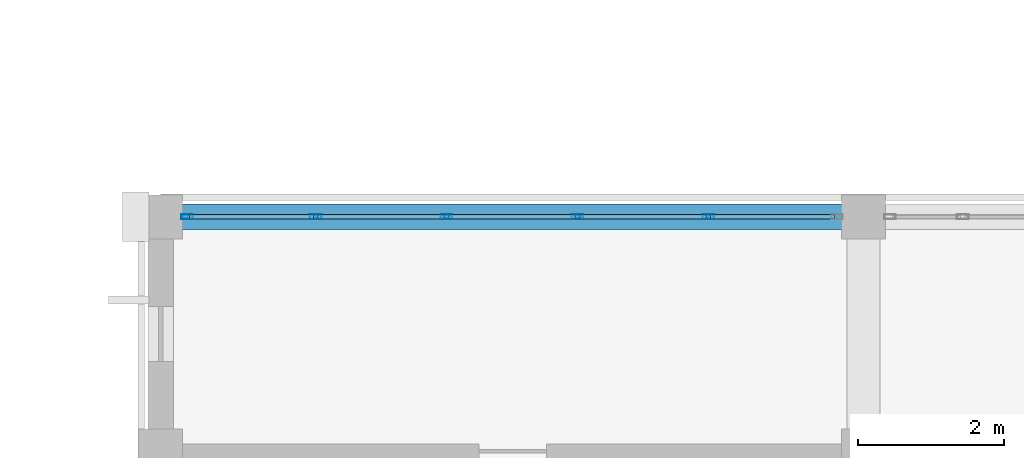
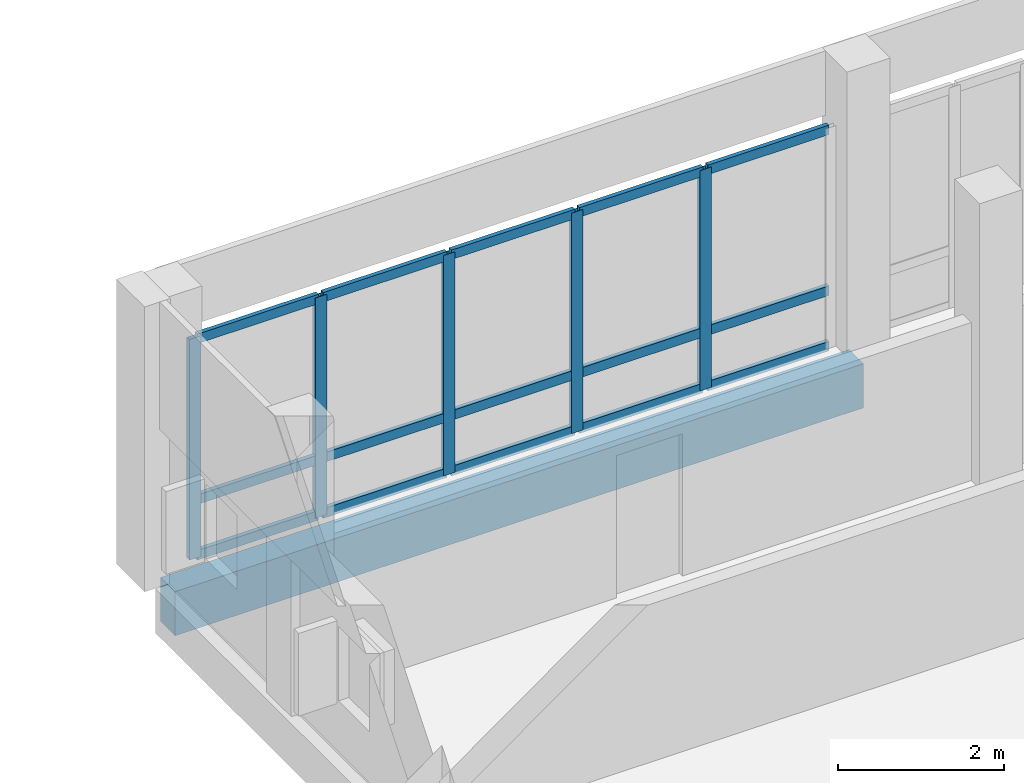
# One storey, part 98 of 185: 20 members, 1 beam, 1 element without a shape of its own.
"""IFC4 building model written with IfcOpenShell, lengths in metres."""

from ifc_helpers import new_model, si_unit, direction, frame, origin, origin_2d, place, context, subcontext, project, spatial, rectangle, hollow_rectangle, extrude, material, material_profile, profile_set, type_object, element, aggregate, save


model = new_model("IFC4")

# Units and contexts
model_context = context("Model", 3, precision=1e-05, world=origin(), true_north=direction((0.0, 1.0)))
body_context = subcontext(model_context, "Body", "Model", "MODEL_VIEW")
ifc_project = project(units=[si_unit("LENGTHUNIT", "METRE"), si_unit("AREAUNIT", "SQUARE_METRE"), si_unit("VOLUMEUNIT", "CUBIC_METRE"), si_unit("PLANEANGLEUNIT", "RADIAN"), si_unit("MASSUNIT", "GRAM", prefix="KILO")], contexts=[model_context])

# Site, building, storey
site_placement = place(None, origin())
site = spatial("IfcSite", under=ifc_project, at=site_placement, CompositionType="ELEMENT")
building_placement = place(site_placement, origin())
building = spatial("IfcBuilding", under=site, at=building_placement, Name="Vondelvale Polytechnic", CompositionType="ELEMENT")
storey_placement = place(building_placement, frame((0.0, 0.0, 9.60009765625)))
storey = spatial("IfcBuildingStorey", under=building, at=storey_placement, Name="L02", CompositionType="ELEMENT", Elevation=9.60009765625)

# Curtain wall, members
ifc_material_1 = material(Name="Anodised extruded aluminium 6063-T6", Category="aluminium")
curtain_wall_type = type_object("IfcCurtainWallType", Name="CW-STUDIO-NORTH", PredefinedType="NOTDEFINED", material=ifc_material_1)
curtain_wall_placement = place(storey_placement, origin())
curtain_wall = element("IfcCurtainWall", 1, at=curtain_wall_placement, inside=storey, type_object=curtain_wall_type, Name="L02 architectural curtain wall CW-01-063", PredefinedType="NOTDEFINED")
ifc_material_profile_1 = material_profile(ifc_material_1, hollow_rectangle(XDim=0.06494140625, YDim=0.159912109375, WallThickness=0.0048828125, at=origin_2d()), Name="CW-MUL-160x65")
ifc_profile_set_1 = profile_set([ifc_material_profile_1], Name="Anodised extruded aluminium 6063-T6")
member_type_1 = type_object("IfcMemberType", Name="CW-MUL-65x160", PredefinedType="MULLION", material=ifc_profile_set_1)
member_1_placement = place(storey_placement, frame((134.762451171875, 30.60009765625, 0.0), z_axis=(0.0, 0.0, 1.0), x_axis=(0.0, 1.0, 0.0)))
member_1 = element("IfcMember", 2, at=member_1_placement, type_object=member_type_1, Name="CW-01-063 mullion 1", PredefinedType="MULLION", context=body_context, shape_type="SweptSolid", body=[
    extrude(hollow_rectangle(XDim=0.06494140625, YDim=0.159912109375, WallThickness=0.0048828125, at=origin_2d()), origin(), (0.0, 0.0, 1.0), 3.25),
])
member_2_placement = place(storey_placement, frame((136.51806640625, 30.60009765625, 0.0), z_axis=(0.0, 0.0, 1.0), x_axis=(0.0, 1.0, 0.0)))
member_2 = element("IfcMember", 3, at=member_2_placement, type_object=member_type_1, Name="CW-01-063 mullion 2", PredefinedType="MULLION", context=body_context, shape_type="SweptSolid", body=[
    extrude(hollow_rectangle(XDim=0.06494140625, YDim=0.159912109375, WallThickness=0.0048828125, at=origin_2d()), origin(), (0.0, 0.0, 1.0), 3.25),
])
member_3_placement = place(storey_placement, frame((138.305908203125, 30.60009765625, 0.0), z_axis=(0.0, 0.0, 1.0), x_axis=(0.0, 1.0, 0.0)))
member_3 = element("IfcMember", 4, at=member_3_placement, type_object=member_type_1, Name="CW-01-063 mullion 3", PredefinedType="MULLION", context=body_context, shape_type="SweptSolid", body=[
    extrude(hollow_rectangle(XDim=0.06494140625, YDim=0.159912109375, WallThickness=0.0048828125, at=origin_2d()), origin(), (0.0, 0.0, 1.0), 3.25),
])
member_4_placement = place(storey_placement, frame((140.093994140625, 30.60009765625, 0.0), z_axis=(0.0, 0.0, 1.0), x_axis=(0.0, 1.0, 0.0)))
member_4 = element("IfcMember", 5, at=member_4_placement, type_object=member_type_1, Name="CW-01-063 mullion 4", PredefinedType="MULLION", context=body_context, shape_type="SweptSolid", body=[
    extrude(hollow_rectangle(XDim=0.06494140625, YDim=0.159912109375, WallThickness=0.0048828125, at=origin_2d()), origin(), (0.0, 0.0, 1.0), 3.25),
])
member_5_placement = place(storey_placement, frame((141.882080078125, 30.60009765625, 0.0), z_axis=(0.0, 0.0, 1.0), x_axis=(0.0, 1.0, 0.0)))
member_5 = element("IfcMember", 6, at=member_5_placement, type_object=member_type_1, Name="CW-01-063 mullion 5", PredefinedType="MULLION", context=body_context, shape_type="SweptSolid", body=[
    extrude(hollow_rectangle(XDim=0.06494140625, YDim=0.159912109375, WallThickness=0.0048828125, at=origin_2d()), origin(), (0.0, 0.0, 1.0), 3.25),
])
ifc_material_profile_2 = material_profile(ifc_material_1, hollow_rectangle(XDim=0.06005859375, YDim=0.139892578125, WallThickness=0.00341796875, at=origin_2d()), Name="CW-TRN-140x60")
ifc_profile_set_2 = profile_set([ifc_material_profile_2], Name="Anodised extruded aluminium 6063-T6")
member_type_2 = type_object("IfcMemberType", Name="CW-TRN-60x140", PredefinedType="USERDEFINED", material=ifc_profile_set_2)
member_6_placement = place(storey_placement, frame((134.794921875, 30.60009765625, 0.02978515625), z_axis=(1.0, 0.0, 0.0), x_axis=(0.0, 1.0, 0.0)))
member_6 = element("IfcMember", 7, at=member_6_placement, type_object=member_type_2, Name="CW-01-063 transom 1.1", ObjectType="TRANSOM", PredefinedType="USERDEFINED", context=body_context, shape_type="SweptSolid", body=[
    extrude(hollow_rectangle(XDim=0.06005859375, YDim=0.139892578125, WallThickness=0.00341796875, at=origin_2d()), origin(), (0.0, 0.0, 1.0), 1.690673828125),
])
member_7_placement = place(storey_placement, frame((134.794921875, 30.60009765625, 0.849853515625), z_axis=(1.0, 0.0, 0.0), x_axis=(0.0, 1.0, 0.0)))
member_7 = element("IfcMember", 8, at=member_7_placement, type_object=member_type_2, Name="CW-01-063 transom 1.2", ObjectType="TRANSOM", PredefinedType="USERDEFINED", context=body_context, shape_type="SweptSolid", body=[
    extrude(hollow_rectangle(XDim=0.06005859375, YDim=0.139892578125, WallThickness=0.00341796875, at=origin_2d()), origin(), (0.0, 0.0, 1.0), 1.690673828125),
])
member_8_placement = place(storey_placement, frame((134.794921875, 30.60009765625, 3.219970703125), z_axis=(1.0, 0.0, 0.0), x_axis=(0.0, 1.0, 0.0)))
member_8 = element("IfcMember", 9, at=member_8_placement, type_object=member_type_2, Name="CW-01-063 transom 1.3", ObjectType="TRANSOM", PredefinedType="USERDEFINED", context=body_context, shape_type="SweptSolid", body=[
    extrude(hollow_rectangle(XDim=0.06005859375, YDim=0.139892578125, WallThickness=0.00341796875, at=origin_2d()), origin(), (0.0, 0.0, 1.0), 1.690673828125),
])
member_9_placement = place(storey_placement, frame((136.550537109375, 30.60009765625, 0.02978515625), z_axis=(1.0, 0.0, 0.0), x_axis=(0.0, 1.0, 0.0)))
member_9 = element("IfcMember", 10, at=member_9_placement, type_object=member_type_2, Name="CW-01-063 transom 2.1", ObjectType="TRANSOM", PredefinedType="USERDEFINED", context=body_context, shape_type="SweptSolid", body=[
    extrude(hollow_rectangle(XDim=0.06005859375, YDim=0.139892578125, WallThickness=0.00341796875, at=origin_2d()), origin(), (0.0, 0.0, 1.0), 1.722900390625),
])
member_10_placement = place(storey_placement, frame((136.550537109375, 30.60009765625, 0.849853515625), z_axis=(1.0, 0.0, 0.0), x_axis=(0.0, 1.0, 0.0)))
member_10 = element("IfcMember", 11, at=member_10_placement, type_object=member_type_2, Name="CW-01-063 transom 2.2", ObjectType="TRANSOM", PredefinedType="USERDEFINED", context=body_context, shape_type="SweptSolid", body=[
    extrude(hollow_rectangle(XDim=0.06005859375, YDim=0.139892578125, WallThickness=0.00341796875, at=origin_2d()), origin(), (0.0, 0.0, 1.0), 1.722900390625),
])
member_11_placement = place(storey_placement, frame((136.550537109375, 30.60009765625, 3.219970703125), z_axis=(1.0, 0.0, 0.0), x_axis=(0.0, 1.0, 0.0)))
member_11 = element("IfcMember", 12, at=member_11_placement, type_object=member_type_2, Name="CW-01-063 transom 2.3", ObjectType="TRANSOM", PredefinedType="USERDEFINED", context=body_context, shape_type="SweptSolid", body=[
    extrude(hollow_rectangle(XDim=0.06005859375, YDim=0.139892578125, WallThickness=0.00341796875, at=origin_2d()), origin(), (0.0, 0.0, 1.0), 1.722900390625),
])
member_12_placement = place(storey_placement, frame((138.33837890625, 30.60009765625, 0.02978515625), z_axis=(1.0, 0.0, 0.0), x_axis=(0.0, 1.0, 0.0)))
member_12 = element("IfcMember", 13, at=member_12_placement, type_object=member_type_2, Name="CW-01-063 transom 3.1", ObjectType="TRANSOM", PredefinedType="USERDEFINED", context=body_context, shape_type="SweptSolid", body=[
    extrude(hollow_rectangle(XDim=0.06005859375, YDim=0.139892578125, WallThickness=0.00341796875, at=origin_2d()), origin(), (0.0, 0.0, 1.0), 1.72314453125),
])
member_13_placement = place(storey_placement, frame((138.33837890625, 30.60009765625, 0.849853515625), z_axis=(1.0, 0.0, 0.0), x_axis=(0.0, 1.0, 0.0)))
member_13 = element("IfcMember", 14, at=member_13_placement, type_object=member_type_2, Name="CW-01-063 transom 3.2", ObjectType="TRANSOM", PredefinedType="USERDEFINED", context=body_context, shape_type="SweptSolid", body=[
    extrude(hollow_rectangle(XDim=0.06005859375, YDim=0.139892578125, WallThickness=0.00341796875, at=origin_2d()), origin(), (0.0, 0.0, 1.0), 1.72314453125),
])
member_14_placement = place(storey_placement, frame((138.33837890625, 30.60009765625, 3.219970703125), z_axis=(1.0, 0.0, 0.0), x_axis=(0.0, 1.0, 0.0)))
member_14 = element("IfcMember", 15, at=member_14_placement, type_object=member_type_2, Name="CW-01-063 transom 3.3", ObjectType="TRANSOM", PredefinedType="USERDEFINED", context=body_context, shape_type="SweptSolid", body=[
    extrude(hollow_rectangle(XDim=0.06005859375, YDim=0.139892578125, WallThickness=0.00341796875, at=origin_2d()), origin(), (0.0, 0.0, 1.0), 1.72314453125),
])
member_15_placement = place(storey_placement, frame((140.12646484375, 30.60009765625, 0.02978515625), z_axis=(1.0, 0.0, 0.0), x_axis=(0.0, 1.0, 0.0)))
member_15 = element("IfcMember", 16, at=member_15_placement, type_object=member_type_2, Name="CW-01-063 transom 4.1", ObjectType="TRANSOM", PredefinedType="USERDEFINED", context=body_context, shape_type="SweptSolid", body=[
    extrude(hollow_rectangle(XDim=0.06005859375, YDim=0.139892578125, WallThickness=0.00341796875, at=origin_2d()), origin(), (0.0, 0.0, 1.0), 1.72314453125),
])
member_16_placement = place(storey_placement, frame((140.12646484375, 30.60009765625, 0.849853515625), z_axis=(1.0, 0.0, 0.0), x_axis=(0.0, 1.0, 0.0)))
member_16 = element("IfcMember", 17, at=member_16_placement, type_object=member_type_2, Name="CW-01-063 transom 4.2", ObjectType="TRANSOM", PredefinedType="USERDEFINED", context=body_context, shape_type="SweptSolid", body=[
    extrude(hollow_rectangle(XDim=0.06005859375, YDim=0.139892578125, WallThickness=0.00341796875, at=origin_2d()), origin(), (0.0, 0.0, 1.0), 1.72314453125),
])
member_17_placement = place(storey_placement, frame((140.12646484375, 30.60009765625, 3.219970703125), z_axis=(1.0, 0.0, 0.0), x_axis=(0.0, 1.0, 0.0)))
member_17 = element("IfcMember", 18, at=member_17_placement, type_object=member_type_2, Name="CW-01-063 transom 4.3", ObjectType="TRANSOM", PredefinedType="USERDEFINED", context=body_context, shape_type="SweptSolid", body=[
    extrude(hollow_rectangle(XDim=0.06005859375, YDim=0.139892578125, WallThickness=0.00341796875, at=origin_2d()), origin(), (0.0, 0.0, 1.0), 1.72314453125),
])
member_18_placement = place(storey_placement, frame((141.91455078125, 30.60009765625, 0.02978515625), z_axis=(1.0, 0.0, 0.0), x_axis=(0.0, 1.0, 0.0)))
member_18 = element("IfcMember", 19, at=member_18_placement, type_object=member_type_2, Name="CW-01-063 transom 5.1", ObjectType="TRANSOM", PredefinedType="USERDEFINED", context=body_context, shape_type="SweptSolid", body=[
    extrude(hollow_rectangle(XDim=0.06005859375, YDim=0.139892578125, WallThickness=0.00341796875, at=origin_2d()), origin(), (0.0, 0.0, 1.0), 1.6904296875),
])
member_19_placement = place(storey_placement, frame((141.91455078125, 30.60009765625, 0.849853515625), z_axis=(1.0, 0.0, 0.0), x_axis=(0.0, 1.0, 0.0)))
member_19 = element("IfcMember", 20, at=member_19_placement, type_object=member_type_2, Name="CW-01-063 transom 5.2", ObjectType="TRANSOM", PredefinedType="USERDEFINED", context=body_context, shape_type="SweptSolid", body=[
    extrude(hollow_rectangle(XDim=0.06005859375, YDim=0.139892578125, WallThickness=0.00341796875, at=origin_2d()), origin(), (0.0, 0.0, 1.0), 1.6904296875),
])
member_20_placement = place(storey_placement, frame((141.91455078125, 30.60009765625, 3.219970703125), z_axis=(1.0, 0.0, 0.0), x_axis=(0.0, 1.0, 0.0)))
member_20 = element("IfcMember", 21, at=member_20_placement, type_object=member_type_2, Name="CW-01-063 transom 5.3", ObjectType="TRANSOM", PredefinedType="USERDEFINED", context=body_context, shape_type="SweptSolid", body=[
    extrude(hollow_rectangle(XDim=0.06005859375, YDim=0.139892578125, WallThickness=0.00341796875, at=origin_2d()), origin(), (0.0, 0.0, 1.0), 1.6904296875),
])
aggregate(curtain_wall, [member_1, member_2, member_3, member_4, member_5, member_6, member_7, member_8, member_9, member_10, member_11, member_12, member_13, member_14, member_15, member_16, member_17, member_18, member_19, member_20])

# Beam
ifc_material_2 = material(Name="Precast concrete N40 (f'c = 40 MPa)", Category="concrete")
ifc_material_profile_3 = material_profile(ifc_material_2, rectangle(XDim=0.35009765625, YDim=0.64990234375, at=origin_2d()), Name="RC-SPN-350x650")
ifc_profile_set_3 = profile_set([ifc_material_profile_3], Name="Precast concrete N40 (f'c = 40 MPa)")
beam_type = type_object("IfcBeamType", Name="SPN-PRE350x650", PredefinedType="SPANDREL", material=ifc_profile_set_3)
beam_placement = place(storey_placement, frame((134.39990234375, 30.60009765625, -0.60498046875), z_axis=(1.0, 0.0, 0.0), x_axis=(0.0, 1.0, 0.0)))
element("IfcBeam", 22, at=beam_placement, inside=storey, type_object=beam_type, Name="L02 B SP-02", PredefinedType="SPANDREL", context=body_context, shape_type="SweptSolid", body=[
    extrude(rectangle(XDim=0.35009765625, YDim=0.64990234375, at=origin_2d()), origin(), (0.0, 0.0, 1.0), 9.60009765625),
])

save(model, "model.ifc")
